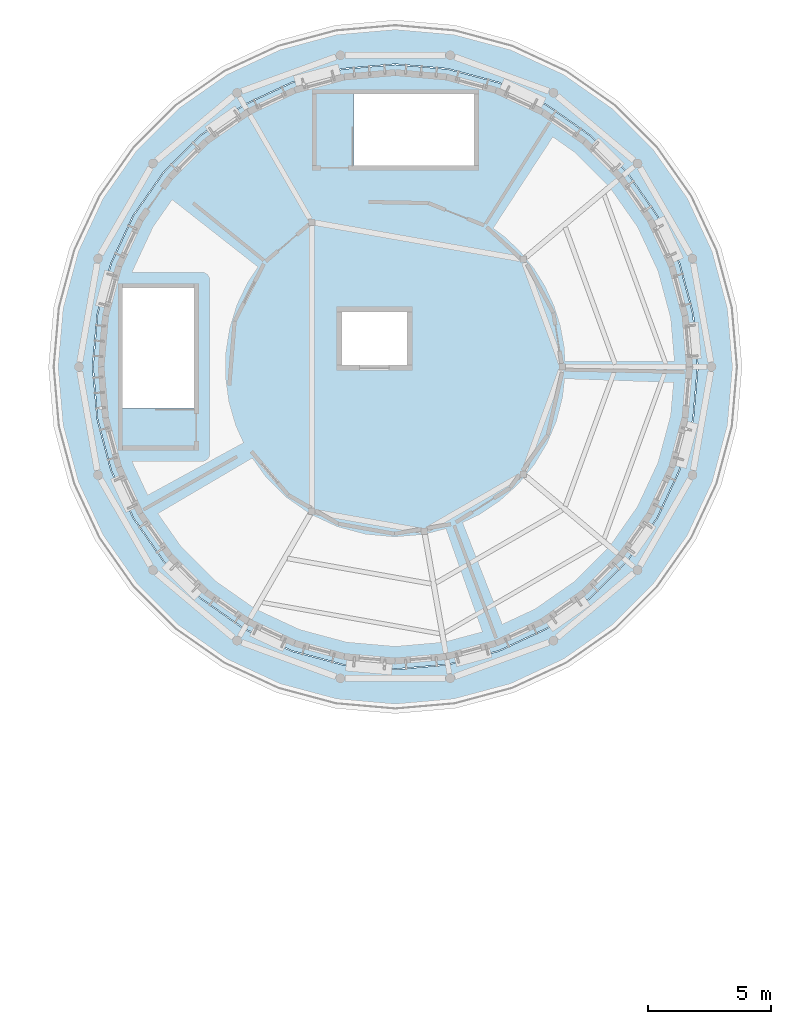
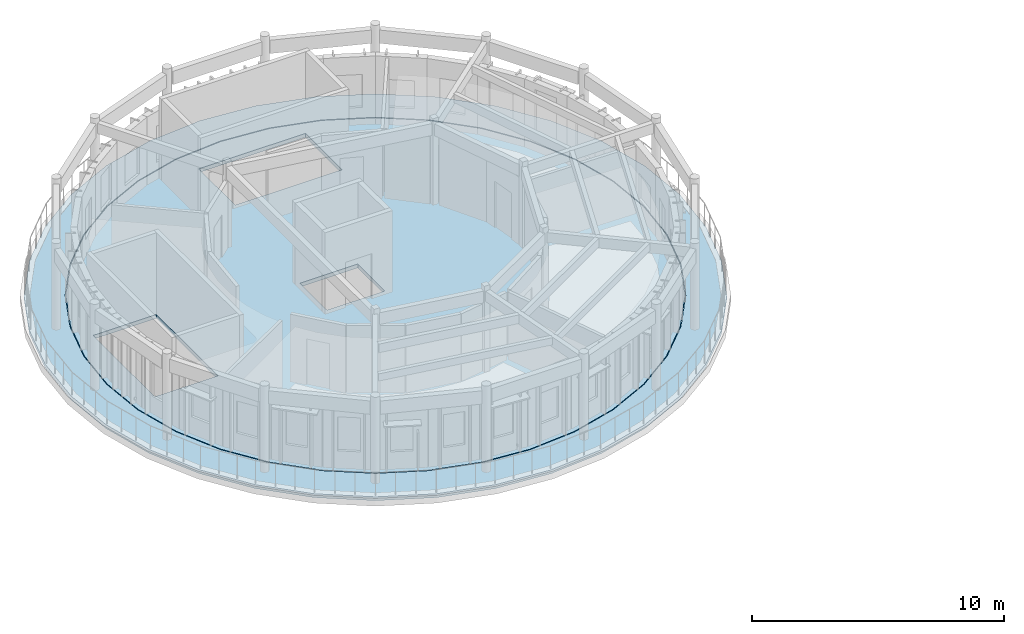
# One storey, part 4 of 14: 2 slabs.
"""IFC4 building model written with IfcOpenShell, lengths in metres."""

from ifc_helpers import new_model, si_unit, direction, frame, origin, place, context, subcontext, project, spatial, polyline, outline, extrude, material, layer, layer_set, type_object, element, save


model = new_model("IFC4")

# Units and contexts
model_context = context("Model", 3, precision=1e-05, world=origin(), true_north=direction((0.0, 1.0)))
body_context = subcontext(model_context, "Body", "Model", "MODEL_VIEW")
ifc_project = project(units=[si_unit("LENGTHUNIT", "METRE"), si_unit("AREAUNIT", "SQUARE_METRE"), si_unit("VOLUMEUNIT", "CUBIC_METRE"), si_unit("PLANEANGLEUNIT", "RADIAN"), si_unit("MASSUNIT", "GRAM", prefix="KILO")], contexts=[model_context])

# Site, building, storey
site_placement = place(None, origin())
site = spatial("IfcSite", under=ifc_project, at=site_placement, CompositionType="ELEMENT")
building_placement = place(site_placement, origin())
building = spatial("IfcBuilding", under=site, at=building_placement, Name="Aldenvaro Health Centre", CompositionType="ELEMENT")
storey_placement = place(building_placement, frame((0.0, 0.0, 21.35009765625)))
storey = spatial("IfcBuildingStorey", under=building, at=storey_placement, Name="L05", CompositionType="ELEMENT", Elevation=21.35009765625)

# Slabs
ifc_material_1 = material(Name="Cross-laminated timber CLT E1", Category="wood")
ifc_layer_1 = layer(ifc_material_1, 0.18505859375, Name="Cross-laminated timber CLT E1", Category="wood")
ifc_layer_set_1 = layer_set([ifc_layer_1], Name="Cross-laminated timber CLT E1")
slab_type_1 = type_object("IfcSlabType", Name="SLB-CLT-185", PredefinedType="FLOOR", material=ifc_layer_set_1)
slab_1_placement = place(storey_placement, frame((0.0, 0.0, -0.18505859375)))
element("IfcSlab", 1, at=slab_1_placement, inside=storey, type_object=slab_type_1, Name="D4 L05 floor slab", PredefinedType="FLOOR", context=body_context, shape_type="SweptSolid", body=[
    extrude(outline(polyline([(30.800048828125, 99.5), (30.613037109375, 101.635986328125), (30.05810546875, 103.70703125), (29.152099609375, 105.64990234375), (27.922119140625, 107.406005859375), (26.406005859375, 108.922119140625), (24.64990234375, 110.152099609375), (22.70703125, 111.05810546875), (20.635986328125, 111.613037109375), (18.5, 111.800048828125), (16.364013671875, 111.613037109375), (14.29296875, 111.05810546875), (12.35009765625, 110.152099609375), (10.593994140625, 108.922119140625), (9.077880859375, 107.406005859375), (7.847900390625, 105.64990234375), (6.94189453125, 103.70703125), (6.386962890625, 101.635986328125), (6.199951171875, 99.5), (6.386962890625, 97.364013671875), (6.94189453125, 95.29296875), (7.847900390625, 93.35009765625), (9.077880859375, 91.593994140625), (10.593994140625, 90.077880859375), (12.35009765625, 88.847900390625), (14.29296875, 87.94189453125), (16.364013671875, 87.386962890625), (18.5, 87.199951171875), (20.635986328125, 87.386962890625), (22.70703125, 87.94189453125), (24.64990234375, 88.847900390625), (26.406005859375, 90.077880859375), (27.922119140625, 91.593994140625), (29.152099609375, 93.35009765625), (30.05810546875, 95.29296875), (30.613037109375, 97.364013671875), (30.800048828125, 99.5)]), holes=[polyline([(16.800048828125, 107.699951171875), (21.699951171875, 107.699951171875), (21.699951171875, 110.60009765625), (16.800048828125, 110.60009765625), (16.800048828125, 107.699951171875)]), polyline([(10.300048828125, 97.800048828125), (10.300048828125, 102.699951171875), (7.39990234375, 102.699951171875), (7.39990234375, 97.800048828125), (10.300048828125, 97.800048828125)]), polyline([(16.324951171875, 99.574951171875), (18.97509765625, 99.574951171875), (18.97509765625, 101.72509765625), (16.324951171875, 101.72509765625), (16.324951171875, 99.574951171875)])]), origin(), (0.0, 0.0, 1.0), 0.18505859375),
])
ifc_material_2 = material(Name="Concrete f'c 40 MPa", Category="concrete")
ifc_layer_2 = layer(ifc_material_2, 0.18505859375, Name="Concrete f'c 40 MPa", Category="concrete")
ifc_layer_set_2 = layer_set([ifc_layer_2], Name="Concrete f'c 40 MPa")
slab_type_2 = type_object("IfcSlabType", Name="SLB-TER-185", PredefinedType="FLOOR", material=ifc_layer_set_2)
slab_2_placement = place(storey_placement, frame((0.0, 0.0, -0.18505859375)))
element("IfcSlab", 2, at=slab_2_placement, inside=storey, type_object=slab_type_2, Name="D4 L05 recovery belvedere terrace slab", PredefinedType="FLOOR", context=body_context, shape_type="SweptSolid", body=[
    extrude(outline(polyline([(32.248046875, 97.075927734375), (31.617919921875, 94.72509765625), (30.590087890625, 92.52001953125), (29.194091796875, 90.527099609375), (27.472900390625, 88.805908203125), (25.47998046875, 87.409912109375), (23.27490234375, 86.382080078125), (20.924072265625, 85.751953125), (18.5, 85.5400390625), (16.075927734375, 85.751953125), (13.72509765625, 86.382080078125), (11.52001953125, 87.409912109375), (9.527099609375, 88.805908203125), (7.805908203125, 90.527099609375), (6.409912109375, 92.52001953125), (5.382080078125, 94.72509765625), (4.751953125, 97.075927734375), (4.5400390625, 99.5), (4.751953125, 101.924072265625), (5.382080078125, 104.27490234375), (6.409912109375, 106.47998046875), (7.805908203125, 108.472900390625), (9.527099609375, 110.194091796875), (11.52001953125, 111.590087890625), (13.72509765625, 112.617919921875), (16.075927734375, 113.248046875), (18.5, 113.4599609375), (20.924072265625, 113.248046875), (23.27490234375, 112.617919921875), (25.47998046875, 111.590087890625), (27.472900390625, 110.194091796875), (29.194091796875, 108.472900390625), (30.590087890625, 106.47998046875), (31.617919921875, 104.27490234375), (32.248046875, 101.924072265625), (32.4599609375, 99.5), (32.248046875, 97.075927734375)]), holes=[polyline([(30.64306640625, 101.64111328125), (30.0859375, 103.717041015625), (29.177978515625, 105.6650390625), (27.945068359375, 107.425048828125), (26.425048828125, 108.945068359375), (24.6650390625, 110.177978515625), (22.717041015625, 111.0859375), (20.64111328125, 111.64306640625), (18.5, 111.830078125), (16.35888671875, 111.64306640625), (14.282958984375, 111.0859375), (12.3349609375, 110.177978515625), (10.574951171875, 108.945068359375), (9.054931640625, 107.425048828125), (7.822021484375, 105.6650390625), (6.9140625, 103.717041015625), (6.35693359375, 101.64111328125), (6.169921875, 99.5), (6.35693359375, 97.35888671875), (6.9140625, 95.282958984375), (7.822021484375, 93.3349609375), (9.054931640625, 91.574951171875), (10.574951171875, 90.054931640625), (12.3349609375, 88.822021484375), (14.282958984375, 87.9140625), (16.35888671875, 87.35693359375), (18.5, 87.169921875), (20.64111328125, 87.35693359375), (22.717041015625, 87.9140625), (24.6650390625, 88.822021484375), (26.425048828125, 90.054931640625), (27.945068359375, 91.574951171875), (29.177978515625, 93.3349609375), (30.0859375, 95.282958984375), (30.64306640625, 97.35888671875), (30.830078125, 99.5), (30.64306640625, 101.64111328125)])]), origin(), (0.0, 0.0, 1.0), 0.18505859375),
])

save(model, "model.ifc")
